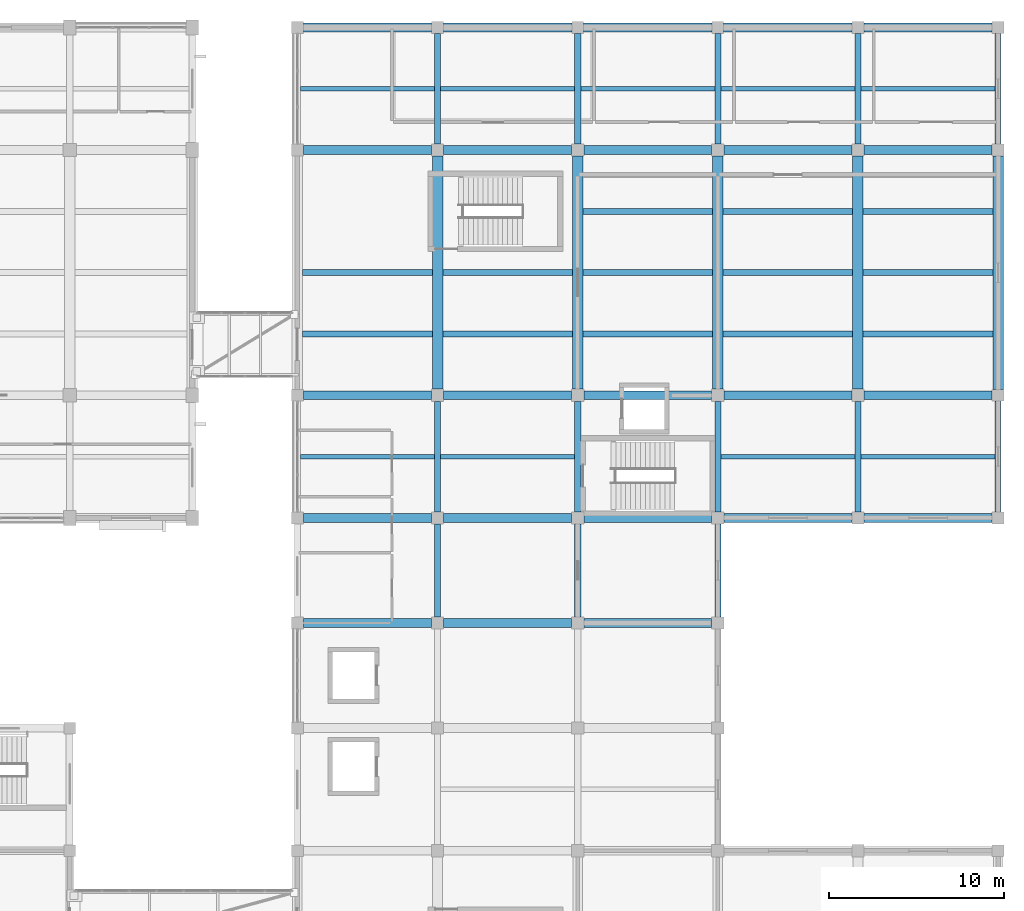
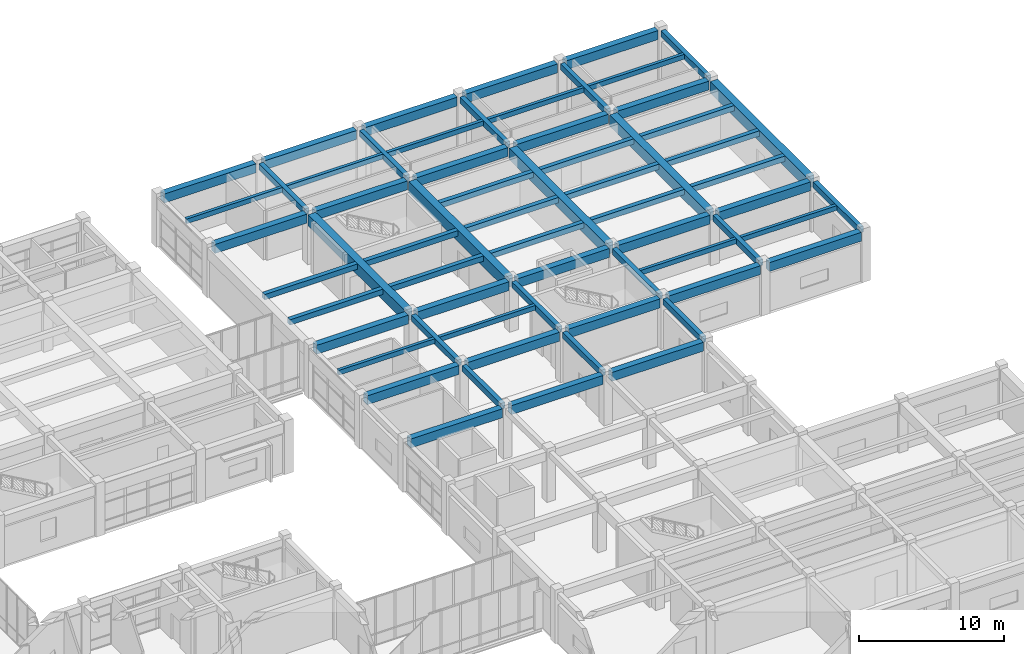
# One storey, part 36 of 72: 63 beams.
"""IFC4 building model written with IfcOpenShell, lengths in metres."""

from ifc_helpers import new_model, si_unit, direction, frame, origin, origin_2d, place, context, subcontext, project, spatial, rectangle, extrude, material, material_profile, profile_set, type_object, element, save


model = new_model("IFC4")

# Units and contexts
model_context = context("Model", 3, precision=1e-05, world=origin(), true_north=direction((0.0, 1.0)))
body_context = subcontext(model_context, "Body", "Model", "MODEL_VIEW")
ifc_project = project(units=[si_unit("LENGTHUNIT", "METRE"), si_unit("AREAUNIT", "SQUARE_METRE"), si_unit("VOLUMEUNIT", "CUBIC_METRE"), si_unit("PLANEANGLEUNIT", "RADIAN"), si_unit("MASSUNIT", "GRAM", prefix="KILO")], contexts=[model_context])

# Site, building, storey
site_placement = place(None, origin())
site = spatial("IfcSite", under=ifc_project, at=site_placement, CompositionType="ELEMENT")
building_placement = place(site_placement, origin())
building = spatial("IfcBuilding", under=site, at=building_placement, Name="Naurynzar Civic Courthouse", CompositionType="ELEMENT")
storey_placement = place(building_placement, frame((0.0, 0.0, 9.89990234375)))
storey = spatial("IfcBuildingStorey", under=building, at=storey_placement, Name="L03", CompositionType="ELEMENT", Elevation=9.89990234375)

# Beams
ifc_material_1 = material(Name="Concrete C40/50", Category="concrete")
ifc_material_profile_1 = material_profile(ifc_material_1, rectangle(XDim=0.25, YDim=0.39990234375, at=origin_2d()), Name="RCB 250x400")
ifc_profile_set_1 = profile_set([ifc_material_profile_1], Name="Concrete C40/50")
beam_type_1 = type_object("IfcBeamType", Name="BM-JST-250x400", PredefinedType="JOIST", material=ifc_profile_set_1)
for number, where, z_axis, x_axis, name in (
    (1, (130.175048828125, 47.5, 4.0), (1.0, 0.0, 0.0), (0.0, 1.0, 0.0), "V5 secondary rib 2481 L03"),
    (2, (138.175048828125, 47.5, 4.0), (1.0, 0.0, 0.0), (0.0, 1.0, 0.0), "V5 secondary rib 2482 L03"),
    (3, (154.175048828125, 47.5, 4.0), (1.0, 0.0, 0.0), (0.0, 1.0, 0.0), "V5 secondary rib 2483 L03"),
    (4, (162.175048828125, 47.5, 4.0), (1.0, 0.0, 0.0), (0.0, 1.0, 0.0), "V5 secondary rib 2484 L03"),
    (5, (130.175048828125, 68.5, 4.0), (1.0, 0.0, 0.0), (0.0, 1.0, 0.0), "V5 secondary rib 2498 L03"),
    (6, (138.175048828125, 68.5, 4.0), (1.0, 0.0, 0.0), (0.0, 1.0, 0.0), "V5 secondary rib 2499 L03"),
    (7, (146.175048828125, 68.5, 4.0), (1.0, 0.0, 0.0), (0.0, 1.0, 0.0), "V5 secondary rib 2500 L03"),
    (8, (154.175048828125, 68.5, 4.0), (1.0, 0.0, 0.0), (0.0, 1.0, 0.0), "V5 secondary rib 2501 L03"),
    (9, (162.175048828125, 68.5, 4.0), (1.0, 0.0, 0.0), (0.0, 1.0, 0.0), "V5 secondary rib 2502 L03"),
):
    element("IfcBeam", number, at=place(storey_placement, frame(where, z_axis=z_axis, x_axis=x_axis)), inside=storey, type_object=beam_type_1, Name=name, PredefinedType="JOIST", context=body_context, shape_type="SweptSolid", body=[
        extrude(rectangle(XDim=0.25, YDim=0.39990234375, at=origin_2d()), origin(), (0.0, 0.0, 1.0), 7.64990234375),
    ])
ifc_material_2 = material(Name="Concrete C40/50", Category="concrete")
ifc_material_profile_2 = material_profile(ifc_material_2, rectangle(XDim=0.60009765625, YDim=0.949951171875, at=origin_2d()), Name="PTB 600x950")
ifc_profile_set_2 = profile_set([ifc_material_profile_2], Name="Concrete C40/50")
beam_type_2 = type_object("IfcBeamType", Name="BM-PT-600x950", PredefinedType="T_BEAM", material=ifc_profile_set_2)
for number, where, z_axis, x_axis, name in (
    (10, (138.0, 51.35009765625, 3.72509765625), (0.0, 1.0, 0.0), (-1.0, 0.0, 0.0), "V5 girder Y-2439 L03"),
    (11, (146.0, 51.35009765625, 3.72509765625), (0.0, 1.0, 0.0), (-1.0, 0.0, 0.0), "V5 girder Y-2448 L03"),
    (12, (154.0, 51.35009765625, 3.72509765625), (0.0, 1.0, 0.0), (-1.0, 0.0, 0.0), "V5 girder Y-2457 L03"),
    (13, (162.0, 51.35009765625, 3.72509765625), (0.0, 1.0, 0.0), (-1.0, 0.0, 0.0), "V5 girder Y-2463 L03"),
):
    element("IfcBeam", number, at=place(storey_placement, frame(where, z_axis=z_axis, x_axis=x_axis)), inside=storey, type_object=beam_type_2, Name=name, PredefinedType="T_BEAM", context=body_context, shape_type="SweptSolid", body=[
        extrude(rectangle(XDim=0.60009765625, YDim=0.949951171875, at=origin_2d()), origin(), (0.0, 0.0, 1.0), 13.2998046875),
    ])
beam_1_placement = place(storey_placement, frame((170.0, 51.33740234375, 3.72509765625), z_axis=(0.0, 1.0, 0.0), x_axis=(-1.0, 0.0, 0.0)))
element("IfcBeam", 14, at=beam_1_placement, inside=storey, type_object=beam_type_2, Name="V5 girder Y-2469 L03", PredefinedType="T_BEAM", context=body_context, shape_type="SweptSolid", body=[
    extrude(rectangle(XDim=0.60009765625, YDim=0.949951171875, at=origin_2d()), origin(), (0.0, 0.0, 1.0), 13.3251953125),
])
ifc_material_3 = material(Name="Concrete C40/50", Category="concrete")
ifc_material_profile_3 = material_profile(ifc_material_3, rectangle(XDim=0.35009765625, YDim=0.449951171875, at=origin_2d()), Name="RCB 350x450")
ifc_profile_set_3 = profile_set([ifc_material_profile_3], Name="Concrete C40/50")
beam_type_3 = type_object("IfcBeamType", Name="BM-RC-350x450", PredefinedType="BEAM", material=ifc_profile_set_3)
for number, where, z_axis, x_axis, name in (
    (15, (130.300048828125, 54.5, 3.97509765625), (1.0, 0.0, 0.0), (0.0, 1.0, 0.0), "V5 secondary rib 2485 L03"),
    (16, (130.300048828125, 58.0, 3.97509765625), (1.0, 0.0, 0.0), (0.0, 1.0, 0.0), "V5 secondary rib 2486 L03"),
    (17, (138.300048828125, 54.5, 3.97509765625), (1.0, 0.0, 0.0), (0.0, 1.0, 0.0), "V5 secondary rib 2487 L03"),
    (18, (138.300048828125, 58.0, 3.97509765625), (1.0, 0.0, 0.0), (0.0, 1.0, 0.0), "V5 secondary rib 2488 L03"),
    (19, (146.300048828125, 54.5, 3.97509765625), (1.0, 0.0, 0.0), (0.0, 1.0, 0.0), "V5 secondary rib 2489 L03"),
    (20, (146.300048828125, 58.0, 3.97509765625), (1.0, 0.0, 0.0), (0.0, 1.0, 0.0), "V5 secondary rib 2490 L03"),
    (21, (146.300048828125, 61.5, 3.97509765625), (1.0, 0.0, 0.0), (0.0, 1.0, 0.0), "V5 secondary rib 2491 L03"),
    (22, (154.300048828125, 54.5, 3.97509765625), (1.0, 0.0, 0.0), (0.0, 1.0, 0.0), "V5 secondary rib 2492 L03"),
    (23, (154.300048828125, 58.0, 3.97509765625), (1.0, 0.0, 0.0), (0.0, 1.0, 0.0), "V5 secondary rib 2493 L03"),
    (24, (154.300048828125, 61.5, 3.97509765625), (1.0, 0.0, 0.0), (0.0, 1.0, 0.0), "V5 secondary rib 2494 L03"),
    (25, (162.300048828125, 54.5, 3.97509765625), (1.0, 0.0, 0.0), (0.0, 1.0, 0.0), "V5 secondary rib 2495 L03"),
    (26, (162.300048828125, 58.0, 3.97509765625), (1.0, 0.0, 0.0), (0.0, 1.0, 0.0), "V5 secondary rib 2496 L03"),
    (27, (162.300048828125, 61.5, 3.97509765625), (1.0, 0.0, 0.0), (0.0, 1.0, 0.0), "V5 secondary rib 2497 L03"),
):
    element("IfcBeam", number, at=place(storey_placement, frame(where, z_axis=z_axis, x_axis=x_axis)), inside=storey, type_object=beam_type_3, Name=name, PredefinedType="BEAM", context=body_context, shape_type="SweptSolid", body=[
        extrude(rectangle(XDim=0.35009765625, YDim=0.449951171875, at=origin_2d()), origin(), (0.0, 0.0, 1.0), 7.39990234375),
    ])
ifc_material_4 = material(Name="Concrete C40/50", Category="concrete")
ifc_material_profile_4 = material_profile(ifc_material_4, rectangle(XDim=0.35009765625, YDim=0.5, at=origin_2d()), Name="RCB 350x500")
ifc_profile_set_4 = profile_set([ifc_material_profile_4], Name="Concrete C40/50")
beam_type_4 = type_object("IfcBeamType", Name="BM-RC-350x500", PredefinedType="BEAM", material=ifc_profile_set_4)
beam_2_placement = place(storey_placement, frame((138.0, 38.35009765625, 3.9501953125), z_axis=(0.0, 1.0, 0.0), x_axis=(-1.0, 0.0, 0.0)))
element("IfcBeam", 28, at=beam_2_placement, inside=storey, type_object=beam_type_4, Name="V5 girder Y-2437 L03", PredefinedType="BEAM", context=body_context, shape_type="SweptSolid", body=[
    extrude(rectangle(XDim=0.35009765625, YDim=0.5, at=origin_2d()), origin(), (0.0, 0.0, 1.0), 5.2998046875),
])
beam_3_placement = place(storey_placement, frame((138.0, 44.35009765625, 3.9501953125), z_axis=(0.0, 1.0, 0.0), x_axis=(-1.0, 0.0, 0.0)))
element("IfcBeam", 29, at=beam_3_placement, inside=storey, type_object=beam_type_4, Name="V5 girder Y-2438 L03", PredefinedType="BEAM", context=body_context, shape_type="SweptSolid", body=[
    extrude(rectangle(XDim=0.35009765625, YDim=0.5, at=origin_2d()), origin(), (0.0, 0.0, 1.0), 6.2998046875),
])
beam_4_placement = place(storey_placement, frame((138.0, 65.35009765625, 3.9501953125), z_axis=(0.0, 1.0, 0.0), x_axis=(-1.0, 0.0, 0.0)))
element("IfcBeam", 30, at=beam_4_placement, inside=storey, type_object=beam_type_4, Name="V5 girder Y-2440 L03", PredefinedType="BEAM", context=body_context, shape_type="SweptSolid", body=[
    extrude(rectangle(XDim=0.35009765625, YDim=0.5, at=origin_2d()), origin(), (0.0, 0.0, 1.0), 6.3125),
])
beam_5_placement = place(storey_placement, frame((146.0, 38.35009765625, 3.9501953125), z_axis=(0.0, 1.0, 0.0), x_axis=(-1.0, 0.0, 0.0)))
element("IfcBeam", 31, at=beam_5_placement, inside=storey, type_object=beam_type_4, Name="V5 girder Y-2446 L03", PredefinedType="BEAM", context=body_context, shape_type="SweptSolid", body=[
    extrude(rectangle(XDim=0.35009765625, YDim=0.5, at=origin_2d()), origin(), (0.0, 0.0, 1.0), 5.2998046875),
])
beam_6_placement = place(storey_placement, frame((146.0, 44.35009765625, 3.9501953125), z_axis=(0.0, 1.0, 0.0), x_axis=(-1.0, 0.0, 0.0)))
element("IfcBeam", 32, at=beam_6_placement, inside=storey, type_object=beam_type_4, Name="V5 girder Y-2447 L03", PredefinedType="BEAM", context=body_context, shape_type="SweptSolid", body=[
    extrude(rectangle(XDim=0.35009765625, YDim=0.5, at=origin_2d()), origin(), (0.0, 0.0, 1.0), 6.2998046875),
])
beam_7_placement = place(storey_placement, frame((146.0, 65.35009765625, 3.9501953125), z_axis=(0.0, 1.0, 0.0), x_axis=(-1.0, 0.0, 0.0)))
element("IfcBeam", 33, at=beam_7_placement, inside=storey, type_object=beam_type_4, Name="V5 girder Y-2449 L03", PredefinedType="BEAM", context=body_context, shape_type="SweptSolid", body=[
    extrude(rectangle(XDim=0.35009765625, YDim=0.5, at=origin_2d()), origin(), (0.0, 0.0, 1.0), 6.3125),
])
beam_8_placement = place(storey_placement, frame((154.0, 38.35009765625, 3.9501953125), z_axis=(0.0, 1.0, 0.0), x_axis=(-1.0, 0.0, 0.0)))
element("IfcBeam", 34, at=beam_8_placement, inside=storey, type_object=beam_type_4, Name="V5 girder Y-2455 L03", PredefinedType="BEAM", context=body_context, shape_type="SweptSolid", body=[
    extrude(rectangle(XDim=0.35009765625, YDim=0.5, at=origin_2d()), origin(), (0.0, 0.0, 1.0), 5.2998046875),
])
beam_9_placement = place(storey_placement, frame((154.0, 44.35009765625, 3.9501953125), z_axis=(0.0, 1.0, 0.0), x_axis=(-1.0, 0.0, 0.0)))
element("IfcBeam", 35, at=beam_9_placement, inside=storey, type_object=beam_type_4, Name="V5 girder Y-2456 L03", PredefinedType="BEAM", context=body_context, shape_type="SweptSolid", body=[
    extrude(rectangle(XDim=0.35009765625, YDim=0.5, at=origin_2d()), origin(), (0.0, 0.0, 1.0), 6.2998046875),
])
beam_10_placement = place(storey_placement, frame((154.0, 65.35009765625, 3.9501953125), z_axis=(0.0, 1.0, 0.0), x_axis=(-1.0, 0.0, 0.0)))
element("IfcBeam", 36, at=beam_10_placement, inside=storey, type_object=beam_type_4, Name="V5 girder Y-2458 L03", PredefinedType="BEAM", context=body_context, shape_type="SweptSolid", body=[
    extrude(rectangle(XDim=0.35009765625, YDim=0.5, at=origin_2d()), origin(), (0.0, 0.0, 1.0), 6.3125),
])
beam_11_placement = place(storey_placement, frame((162.0, 44.35009765625, 3.9501953125), z_axis=(0.0, 1.0, 0.0), x_axis=(-1.0, 0.0, 0.0)))
element("IfcBeam", 37, at=beam_11_placement, inside=storey, type_object=beam_type_4, Name="V5 girder Y-2462 L03", PredefinedType="BEAM", context=body_context, shape_type="SweptSolid", body=[
    extrude(rectangle(XDim=0.35009765625, YDim=0.5, at=origin_2d()), origin(), (0.0, 0.0, 1.0), 6.2998046875),
])
beam_12_placement = place(storey_placement, frame((162.0, 65.35009765625, 3.9501953125), z_axis=(0.0, 1.0, 0.0), x_axis=(-1.0, 0.0, 0.0)))
element("IfcBeam", 38, at=beam_12_placement, inside=storey, type_object=beam_type_4, Name="V5 girder Y-2464 L03", PredefinedType="BEAM", context=body_context, shape_type="SweptSolid", body=[
    extrude(rectangle(XDim=0.35009765625, YDim=0.5, at=origin_2d()), origin(), (0.0, 0.0, 1.0), 6.3125),
])
for number, where, z_axis, x_axis, name in (
    (39, (170.0, 44.33740234375, 3.9501953125), (0.0, 1.0, 0.0), (-1.0, 0.0, 0.0), "V5 girder Y-2468 L03"),
    (40, (170.0, 65.33740234375, 3.9501953125), (0.0, 1.0, 0.0), (-1.0, 0.0, 0.0), "V5 girder Y-2470 L03"),
):
    element("IfcBeam", number, at=place(storey_placement, frame(where, z_axis=z_axis, x_axis=x_axis)), inside=storey, type_object=beam_type_4, Name=name, PredefinedType="BEAM", context=body_context, shape_type="SweptSolid", body=[
        extrude(rectangle(XDim=0.35009765625, YDim=0.5, at=origin_2d()), origin(), (0.0, 0.0, 1.0), 6.3251953125),
    ])
ifc_material_5 = material(Name="Concrete C40/50", Category="concrete")
ifc_material_profile_5 = material_profile(ifc_material_5, rectangle(XDim=0.5, YDim=0.75, at=origin_2d()), Name="RCB 500x750")
ifc_profile_set_5 = profile_set([ifc_material_profile_5], Name="Concrete C40/50")
beam_type_5 = type_object("IfcBeamType", Name="BM-RC-500x750", PredefinedType="BEAM", material=ifc_profile_set_5)
beam_13_placement = place(storey_placement, frame((130.33740234375, 38.0, 3.8251953125), z_axis=(1.0, 0.0, 0.0), x_axis=(0.0, 1.0, 0.0)))
element("IfcBeam", 41, at=beam_13_placement, inside=storey, type_object=beam_type_5, Name="V5 beam X-2400 L03", PredefinedType="BEAM", context=body_context, shape_type="SweptSolid", body=[
    extrude(rectangle(XDim=0.5, YDim=0.75, at=origin_2d()), origin(), (0.0, 0.0, 1.0), 7.3125),
])
for number, where, z_axis, x_axis, name in (
    (42, (138.35009765625, 38.0, 3.8251953125), (1.0, 0.0, 0.0), (0.0, 1.0, 0.0), "V5 beam X-2401 L03"),
    (43, (146.35009765625, 38.0, 3.8251953125), (1.0, 0.0, 0.0), (0.0, 1.0, 0.0), "V5 beam X-2402 L03"),
):
    element("IfcBeam", number, at=place(storey_placement, frame(where, z_axis=z_axis, x_axis=x_axis)), inside=storey, type_object=beam_type_5, Name=name, PredefinedType="BEAM", context=body_context, shape_type="SweptSolid", body=[
        extrude(rectangle(XDim=0.5, YDim=0.75, at=origin_2d()), origin(), (0.0, 0.0, 1.0), 7.2998046875),
    ])
beam_14_placement = place(storey_placement, frame((130.33740234375, 44.0, 3.8251953125), z_axis=(1.0, 0.0, 0.0), x_axis=(0.0, 1.0, 0.0)))
element("IfcBeam", 44, at=beam_14_placement, inside=storey, type_object=beam_type_5, Name="V5 beam X-2403 L03", PredefinedType="BEAM", context=body_context, shape_type="SweptSolid", body=[
    extrude(rectangle(XDim=0.5, YDim=0.75, at=origin_2d()), origin(), (0.0, 0.0, 1.0), 7.3125),
])
for number, where, z_axis, x_axis, name in (
    (45, (138.35009765625, 44.0, 3.8251953125), (1.0, 0.0, 0.0), (0.0, 1.0, 0.0), "V5 beam X-2404 L03"),
    (46, (146.35009765625, 44.0, 3.8251953125), (1.0, 0.0, 0.0), (0.0, 1.0, 0.0), "V5 beam X-2405 L03"),
    (47, (154.35009765625, 44.0, 3.8251953125), (1.0, 0.0, 0.0), (0.0, 1.0, 0.0), "V5 beam X-2406 L03"),
):
    element("IfcBeam", number, at=place(storey_placement, frame(where, z_axis=z_axis, x_axis=x_axis)), inside=storey, type_object=beam_type_5, Name=name, PredefinedType="BEAM", context=body_context, shape_type="SweptSolid", body=[
        extrude(rectangle(XDim=0.5, YDim=0.75, at=origin_2d()), origin(), (0.0, 0.0, 1.0), 7.2998046875),
    ])
for number, where, z_axis, x_axis, name in (
    (48, (162.35009765625, 44.0, 3.8251953125), (1.0, 0.0, 0.0), (0.0, 1.0, 0.0), "V5 beam X-2407 L03"),
    (49, (130.33740234375, 51.0, 3.8251953125), (1.0, 0.0, 0.0), (0.0, 1.0, 0.0), "V5 beam X-2408 L03"),
):
    element("IfcBeam", number, at=place(storey_placement, frame(where, z_axis=z_axis, x_axis=x_axis)), inside=storey, type_object=beam_type_5, Name=name, PredefinedType="BEAM", context=body_context, shape_type="SweptSolid", body=[
        extrude(rectangle(XDim=0.5, YDim=0.75, at=origin_2d()), origin(), (0.0, 0.0, 1.0), 7.3125),
    ])
for number, where, z_axis, x_axis, name in (
    (50, (138.35009765625, 51.0, 3.8251953125), (1.0, 0.0, 0.0), (0.0, 1.0, 0.0), "V5 beam X-2409 L03"),
    (51, (146.35009765625, 51.0, 3.8251953125), (1.0, 0.0, 0.0), (0.0, 1.0, 0.0), "V5 beam X-2410 L03"),
    (52, (154.35009765625, 51.0, 3.8251953125), (1.0, 0.0, 0.0), (0.0, 1.0, 0.0), "V5 beam X-2411 L03"),
):
    element("IfcBeam", number, at=place(storey_placement, frame(where, z_axis=z_axis, x_axis=x_axis)), inside=storey, type_object=beam_type_5, Name=name, PredefinedType="BEAM", context=body_context, shape_type="SweptSolid", body=[
        extrude(rectangle(XDim=0.5, YDim=0.75, at=origin_2d()), origin(), (0.0, 0.0, 1.0), 7.2998046875),
    ])
for number, where, z_axis, x_axis, name in (
    (53, (162.35009765625, 51.0, 3.8251953125), (1.0, 0.0, 0.0), (0.0, 1.0, 0.0), "V5 beam X-2412 L03"),
    (54, (130.33740234375, 65.0, 3.8251953125), (1.0, 0.0, 0.0), (0.0, 1.0, 0.0), "V5 beam X-2413 L03"),
):
    element("IfcBeam", number, at=place(storey_placement, frame(where, z_axis=z_axis, x_axis=x_axis)), inside=storey, type_object=beam_type_5, Name=name, PredefinedType="BEAM", context=body_context, shape_type="SweptSolid", body=[
        extrude(rectangle(XDim=0.5, YDim=0.75, at=origin_2d()), origin(), (0.0, 0.0, 1.0), 7.3125),
    ])
for number, where, z_axis, x_axis, name in (
    (55, (138.35009765625, 65.0, 3.8251953125), (1.0, 0.0, 0.0), (0.0, 1.0, 0.0), "V5 beam X-2414 L03"),
    (56, (146.35009765625, 65.0, 3.8251953125), (1.0, 0.0, 0.0), (0.0, 1.0, 0.0), "V5 beam X-2415 L03"),
    (57, (154.35009765625, 65.0, 3.8251953125), (1.0, 0.0, 0.0), (0.0, 1.0, 0.0), "V5 beam X-2416 L03"),
):
    element("IfcBeam", number, at=place(storey_placement, frame(where, z_axis=z_axis, x_axis=x_axis)), inside=storey, type_object=beam_type_5, Name=name, PredefinedType="BEAM", context=body_context, shape_type="SweptSolid", body=[
        extrude(rectangle(XDim=0.5, YDim=0.75, at=origin_2d()), origin(), (0.0, 0.0, 1.0), 7.2998046875),
    ])
beam_15_placement = place(storey_placement, frame((162.35009765625, 65.0, 3.8251953125), z_axis=(1.0, 0.0, 0.0), x_axis=(0.0, 1.0, 0.0)))
element("IfcBeam", 58, at=beam_15_placement, inside=storey, type_object=beam_type_5, Name="V5 beam X-2417 L03", PredefinedType="BEAM", context=body_context, shape_type="SweptSolid", body=[
    extrude(rectangle(XDim=0.5, YDim=0.75, at=origin_2d()), origin(), (0.0, 0.0, 1.0), 7.3125),
])
for number, where, z_axis, x_axis, name in (
    (59, (130.33740234375, 72.0, 3.8251953125), (1.0, 0.0, 0.0), (0.0, 1.0, 0.0), "V5 beam X-2418 L03"),
    (60, (138.33740234375, 72.0, 3.8251953125), (1.0, 0.0, 0.0), (0.0, 1.0, 0.0), "V5 beam X-2419 L03"),
    (61, (146.33740234375, 72.0, 3.8251953125), (1.0, 0.0, 0.0), (0.0, 1.0, 0.0), "V5 beam X-2420 L03"),
    (62, (154.33740234375, 72.0, 3.8251953125), (1.0, 0.0, 0.0), (0.0, 1.0, 0.0), "V5 beam X-2421 L03"),
    (63, (162.33740234375, 72.0, 3.8251953125), (1.0, 0.0, 0.0), (0.0, 1.0, 0.0), "V5 beam X-2422 L03"),
):
    element("IfcBeam", number, at=place(storey_placement, frame(where, z_axis=z_axis, x_axis=x_axis)), inside=storey, type_object=beam_type_5, Name=name, PredefinedType="BEAM", context=body_context, shape_type="SweptSolid", body=[
        extrude(rectangle(XDim=0.5, YDim=0.75, at=origin_2d()), origin(), (0.0, 0.0, 1.0), 7.3251953125),
    ])

save(model, "model.ifc")
